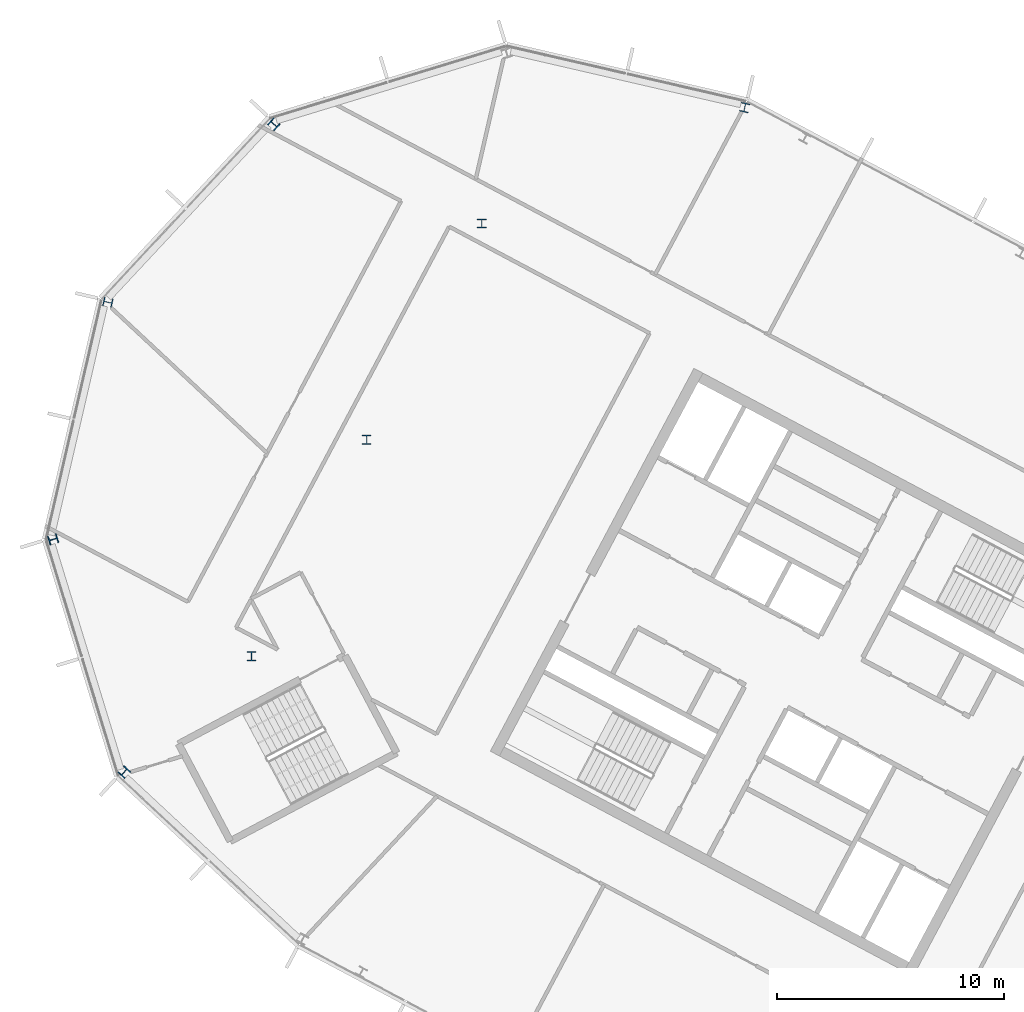
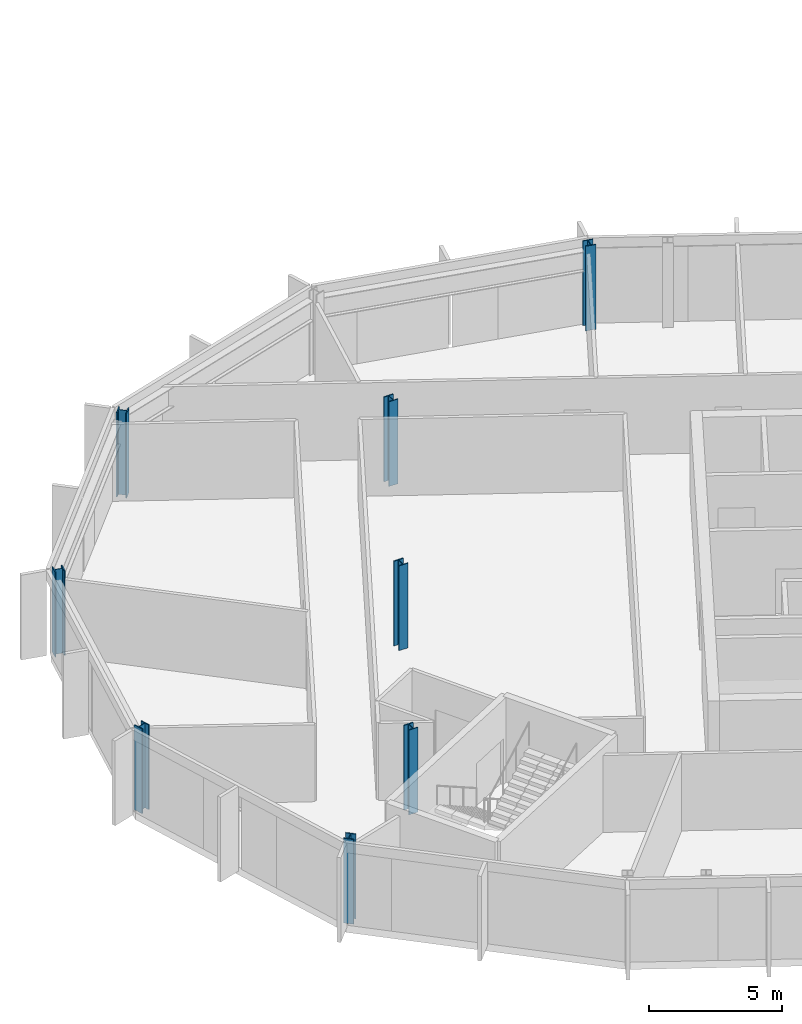
# One storey, part 3 of 26: 8 columns.
"""IFC4 building model written with IfcOpenShell, lengths in metres."""

from ifc_helpers import new_model, si_unit, direction, frame, origin, origin_2d, place, context, subcontext, project, spatial, i_section, extrude, material, material_profile, profile_set, type_object, element, save


model = new_model("IFC4")

# Units and contexts
model_context = context("Model", 3, precision=1e-05, world=origin(), true_north=direction((0.0, 1.0)))
body_context = subcontext(model_context, "Body", "Model", "MODEL_VIEW")
ifc_project = project(units=[si_unit("LENGTHUNIT", "METRE"), si_unit("AREAUNIT", "SQUARE_METRE"), si_unit("VOLUMEUNIT", "CUBIC_METRE"), si_unit("PLANEANGLEUNIT", "RADIAN"), si_unit("MASSUNIT", "GRAM", prefix="KILO")], contexts=[model_context])

# Site, building, storey
site_placement = place(None, origin())
site = spatial("IfcSite", under=ifc_project, at=site_placement, CompositionType="ELEMENT")
building_placement = place(site_placement, origin())
building = spatial("IfcBuilding", under=site, at=building_placement, Name="Cormorant Relay Tower", CompositionType="ELEMENT")
storey_placement = place(building_placement, frame((0.0, 0.0, 300.89990234375)))
storey = spatial("IfcBuildingStorey", under=building, at=storey_placement, Name="L68", CompositionType="ELEMENT", Elevation=300.89990234375)

# Columns
ifc_material = material(Name="Steel ASTM A992 (Fy 345 MPa)", Category="steel")
ifc_material_profile = material_profile(ifc_material, i_section(OverallWidth=0.40380859375, OverallDepth=0.406494140625, WebThickness=0.027099609375, FlangeThickness=0.043701171875, FilletRadius=0.01513671875, at=origin_2d()), Name="W360x347")
ifc_profile_set = profile_set([ifc_material_profile], Name="Steel ASTM A992 (Fy 345 MPa)")
column_type = type_object("IfcColumnType", Name="Column W360x347", PredefinedType="COLUMN", material=ifc_profile_set)
for number, where, z_axis, x_axis, name in (
    (1, (-57.2958984375, 10.152099609375, 0.0), (0.0, 0.0, 1.0), (0.731353701619, -0.681998360062, 0.0), "Column L68-022"),
    (2, (-51.68994140625, 15.251953125, 0.0), (0.0, 0.0, 1.0), (1.0, 0.0, 0.0), "Column L68-026"),
    (3, (-60.429931640625, 20.403076171875, 0.0), (0.0, 0.0, 1.0), (0.292371704723, -0.956304755963, 0.0), "Column L68-028"),
    (4, (-46.6201171875, 24.7880859375, 0.0), (0.0, 0.0, 1.0), (1.0, 0.0, 0.0), "Column L68-030"),
    (5, (-58.01806640625, 30.84912109375, 0.0), (0.0, 0.0, 1.0), (-0.224951054344, -0.974370064785, 0.0), "Column L68-034"),
    (6, (-41.549072265625, 34.323974609375, 0.0), (0.0, 0.0, 1.0), (1.0, 0.0, 0.0), "Column L68-037"),
    (7, (-50.70703125, 38.68896484375, 0.0), (0.0, 0.0, 1.0), (-0.681998360062, -0.731353701619, 0.0), "Column L68-041"),
    (8, (-29.965087890625, 39.425048828125, 0.0), (0.0, 0.0, 1.0), (-0.974370064785, 0.224951054344, 0.0), "Column L68-042"),
):
    element("IfcColumn", number, at=place(storey_placement, frame(where, z_axis=z_axis, x_axis=x_axis)), inside=storey, type_object=column_type, Name=name, PredefinedType="COLUMN", context=body_context, shape_type="SweptSolid", body=[
        extrude(i_section(OverallWidth=0.40380859375, OverallDepth=0.406494140625, WebThickness=0.027099609375, FlangeThickness=0.043701171875, FilletRadius=0.01513671875, at=origin_2d()), origin(), (0.0, 0.0, 1.0), 3.900146484375),
    ])

save(model, "model.ifc")
